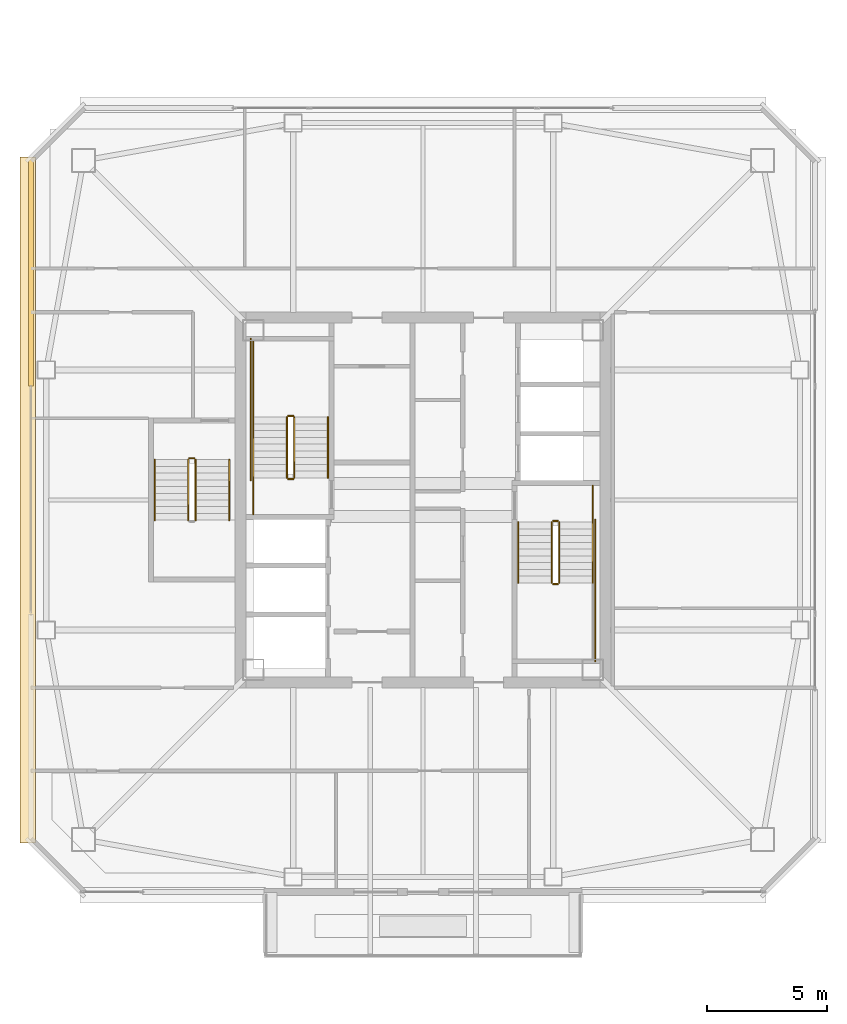
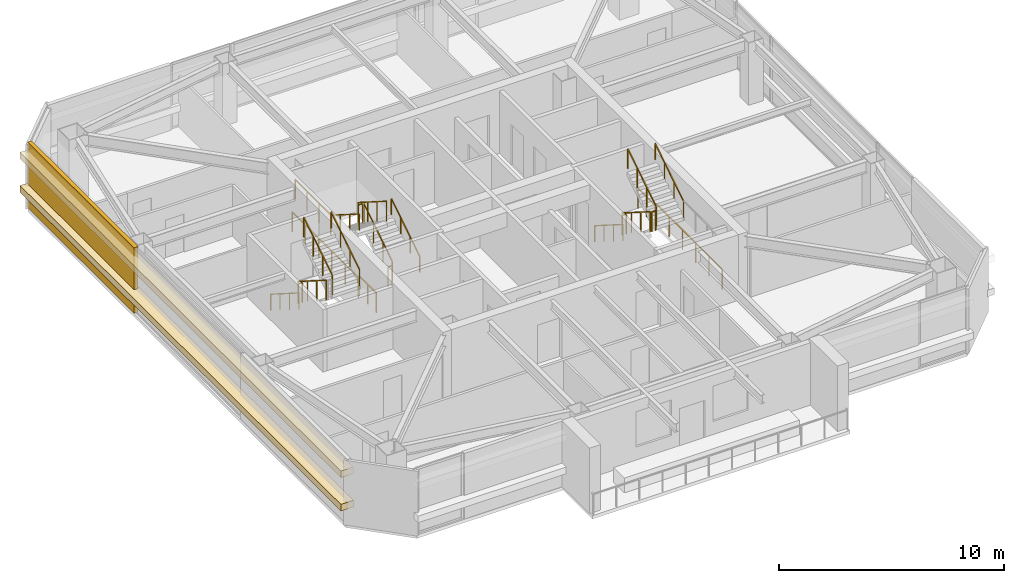
# One storey, part 35 of 40: 22 railings, 3 coverings.
"""IFC4 building model written with IfcOpenShell, lengths in metres."""

from ifc_helpers import new_model, si_unit, direction, frame, origin, origin_2d, place, context, subcontext, project, spatial, rectangle, extrude, material, layer, layer_set, type_object, element, save


model = new_model("IFC4")

# Units and contexts
model_context = context("Model", 3, precision=1e-05, world=origin(), true_north=direction((0.0, 1.0)))
body_context = subcontext(model_context, "Body", "Model", "MODEL_VIEW")
ifc_project = project(units=[si_unit("LENGTHUNIT", "METRE"), si_unit("AREAUNIT", "SQUARE_METRE"), si_unit("VOLUMEUNIT", "CUBIC_METRE"), si_unit("PLANEANGLEUNIT", "RADIAN"), si_unit("MASSUNIT", "GRAM", prefix="KILO")], contexts=[model_context])

# Site, building, storey
site_placement = place(None, origin())
site = spatial("IfcSite", under=ifc_project, at=site_placement, CompositionType="ELEMENT")
building_placement = place(site_placement, origin())
building = spatial("IfcBuilding", under=site, at=building_placement, Name="Tashvorn Skyway Center", CompositionType="ELEMENT")
storey_placement = place(building_placement, frame((0.0, 0.0, 221.949951171875)))
storey = spatial("IfcBuildingStorey", under=building, at=storey_placement, Name="L60", CompositionType="ELEMENT", Elevation=221.949951171875)

# Coverings
ifc_material_1 = material(Name="Precast concrete C40/50", Category="concrete")
ifc_layer_1 = layer(ifc_material_1, 0.199951171875)
ifc_layer_set_1 = layer_set([ifc_layer_1], Name="Precast concrete C40/50")
covering_type_1 = type_object("IfcCoveringType", Name="COV-BRACE-CLAD", PredefinedType="CLADDING", material=ifc_layer_set_1)
covering_placement = place(storey_placement, frame((25.719970703125, 41.453369140625, 0.0), z_axis=(0.0, 0.0, 1.0), x_axis=(0.0, 1.0, 0.0)))
element("IfcCovering", 1, at=covering_placement, inside=storey, type_object=covering_type_1, Name="Tower 1 L60 West Unitised Curtain Wall Mega-Brace Cladding Band 2", PredefinedType="CLADDING", context=body_context, shape_type="SweptSolid", body=[
    extrude(rectangle(XDim=9.453369140625, YDim=0.199951171875, at=origin_2d()), origin(), (0.0, 0.0, 1.0), 3.550048828125),
])
ifc_material_2 = material(Name="Perforated ceramic-coated bronze aluminium solar screen", Category="aluminium")
ifc_layer_2 = layer(ifc_material_2, 0.85009765625)
ifc_layer_set_2 = layer_set([ifc_layer_2], Name="Perforated ceramic-coated bronze aluminium solar screen")
covering_type_2 = type_object("IfcCoveringType", Name="COV-SOLAR-BAND", PredefinedType="CLADDING", material=ifc_layer_set_2)
for number, where, z_axis, x_axis, name in (
    (2, (25.580078125, 32.0, 0.919921875), (0.0, 0.0, 1.0), (0.0, 1.0, 0.0), "L60 Perforated Ceramic-Metal Solar Screen Louvre Band West 1"),
    (3, (25.580078125, 32.0, 2.72021484375), (0.0, 0.0, 1.0), (0.0, 1.0, 0.0), "L60 Perforated Ceramic-Metal Solar Screen Louvre Band West 2"),
):
    element("IfcCovering", number, at=place(storey_placement, frame(where, z_axis=z_axis, x_axis=x_axis)), inside=storey, type_object=covering_type_2, Name=name, PredefinedType="CLADDING", context=body_context, shape_type="SweptSolid", body=[
        extrude(rectangle(XDim=28.47998046875, YDim=0.639892578125, at=origin_2d()), origin(), (0.0, 0.0, 1.0), 0.360107421875),
    ])

# Railings
ifc_material_3 = material(Name="Brushed stainless steel 316", Category="steel")
railing_type_1 = type_object("IfcRailingType", Name="RAIL-HAND-920", PredefinedType="HANDRAIL", material=ifc_material_3)
railing_1_placement = place(storey_placement, frame((38.050048828125, 32.919921875, 0.177490234375)))
element("IfcRailing", 4, at=railing_1_placement, inside=storey, type_object=railing_type_1, Name="L60 ST-T1-1 stair handrail 1", PredefinedType="HANDRAIL", context=body_context, shape_type="SweptSolid", body=[
    extrude(rectangle(XDim=0.048095703125, YDim=0.048095703125, at=origin_2d()), frame((0.0, 0.0, 0.8759765625), z_axis=(0.0, 0.84456994832, 0.535445237532), x_axis=(-1.0, 0.0, 0.0)), (0.0, 0.0, 1.0), 2.98388671875),
    extrude(rectangle(XDim=0.0419921875, YDim=0.0419921875, at=origin_2d()), origin(), (0.0, 0.0, 1.0), 0.851806640625),
    extrude(rectangle(XDim=0.0419921875, YDim=0.0419921875, at=origin_2d()), frame((0.0, 0.840087890625, 0.532470703125)), (0.0, 0.0, 1.0), 0.851806640625),
    extrude(rectangle(XDim=0.0419921875, YDim=0.0419921875, at=origin_2d()), frame((0.0, 1.679931640625, 1.065185546875)), (0.0, 0.0, 1.0), 0.851806640625),
    extrude(rectangle(XDim=0.0419921875, YDim=0.0419921875, at=origin_2d()), frame((0.0, 2.52001953125, 1.59765625)), (0.0, 0.0, 1.0), 0.851806640625),
])
railing_2_placement = place(storey_placement, frame((34.949951171875, 35.43994140625, 1.95263671875)))
element("IfcRailing", 5, at=railing_2_placement, inside=storey, type_object=railing_type_1, Name="L60 ST-T1-1 stair handrail 2", PredefinedType="HANDRAIL", context=body_context, shape_type="SweptSolid", body=[
    extrude(rectangle(XDim=0.048095703125, YDim=0.048095703125, at=origin_2d()), frame((0.0, 0.0, 0.8759765625), z_axis=(0.0, -0.84460694969, 0.535386869969), x_axis=(1.0, 0.0, 0.0)), (0.0, 0.0, 1.0), 2.983642578125),
    extrude(rectangle(XDim=0.0419921875, YDim=0.0419921875, at=origin_2d()), origin(), (0.0, 0.0, 1.0), 0.851806640625),
    extrude(rectangle(XDim=0.0419921875, YDim=0.0419921875, at=origin_2d()), frame((0.0, -0.840087890625, 0.532470703125)), (0.0, 0.0, 1.0), 0.851806640625),
    extrude(rectangle(XDim=0.0419921875, YDim=0.0419921875, at=origin_2d()), frame((0.0, -1.679931640625, 1.06494140625)), (0.0, 0.0, 1.0), 0.851806640625),
    extrude(rectangle(XDim=0.0419921875, YDim=0.0419921875, at=origin_2d()), frame((0.0, -2.52001953125, 1.597412109375)), (0.0, 0.0, 1.0), 0.851806640625),
])
railing_3_placement = place(storey_placement, frame((45.949951171875, 31.080078125, 0.177490234375)))
element("IfcRailing", 6, at=railing_3_placement, inside=storey, type_object=railing_type_1, Name="L60 ST-T1-2 stair handrail 1", PredefinedType="HANDRAIL", context=body_context, shape_type="SweptSolid", body=[
    extrude(rectangle(XDim=0.048095703125, YDim=0.048095703125, at=origin_2d()), frame((0.0, 0.0, 0.8759765625), z_axis=(0.0, -0.84456994832, 0.535445237532), x_axis=(1.0, 0.0, 0.0)), (0.0, 0.0, 1.0), 2.98388671875),
    extrude(rectangle(XDim=0.0419921875, YDim=0.0419921875, at=origin_2d()), origin(), (0.0, 0.0, 1.0), 0.851806640625),
    extrude(rectangle(XDim=0.0419921875, YDim=0.0419921875, at=origin_2d()), frame((0.0, -0.840087890625, 0.532470703125)), (0.0, 0.0, 1.0), 0.851806640625),
    extrude(rectangle(XDim=0.0419921875, YDim=0.0419921875, at=origin_2d()), frame((0.0, -1.679931640625, 1.065185546875)), (0.0, 0.0, 1.0), 0.851806640625),
    extrude(rectangle(XDim=0.0419921875, YDim=0.0419921875, at=origin_2d()), frame((0.0, -2.52001953125, 1.59765625)), (0.0, 0.0, 1.0), 0.851806640625),
])
railing_4_placement = place(storey_placement, frame((49.050048828125, 28.56005859375, 1.95263671875)))
element("IfcRailing", 7, at=railing_4_placement, inside=storey, type_object=railing_type_1, Name="L60 ST-T1-2 stair handrail 2", PredefinedType="HANDRAIL", context=body_context, shape_type="SweptSolid", body=[
    extrude(rectangle(XDim=0.048095703125, YDim=0.048095703125, at=origin_2d()), frame((0.0, 0.0, 0.8759765625), z_axis=(0.0, 0.84460694969, 0.535386869969), x_axis=(-1.0, 0.0, 0.0)), (0.0, 0.0, 1.0), 2.983642578125),
    extrude(rectangle(XDim=0.0419921875, YDim=0.0419921875, at=origin_2d()), origin(), (0.0, 0.0, 1.0), 0.851806640625),
    extrude(rectangle(XDim=0.0419921875, YDim=0.0419921875, at=origin_2d()), frame((0.0, 0.840087890625, 0.532470703125)), (0.0, 0.0, 1.0), 0.851806640625),
    extrude(rectangle(XDim=0.0419921875, YDim=0.0419921875, at=origin_2d()), frame((0.0, 1.679931640625, 1.06494140625)), (0.0, 0.0, 1.0), 0.851806640625),
    extrude(rectangle(XDim=0.0419921875, YDim=0.0419921875, at=origin_2d()), frame((0.0, 2.52001953125, 1.597412109375)), (0.0, 0.0, 1.0), 0.851806640625),
])
railing_5_placement = place(storey_placement, frame((30.85009765625, 33.679931640625, 0.177490234375)))
element("IfcRailing", 8, at=railing_5_placement, inside=storey, type_object=railing_type_1, Name="L60 ST-T1-3 stair handrail 1", PredefinedType="HANDRAIL", context=body_context, shape_type="SweptSolid", body=[
    extrude(rectangle(XDim=0.048095703125, YDim=0.048095703125, at=origin_2d()), frame((0.0, 0.0, 0.8759765625), z_axis=(0.0, -0.84456994832, 0.535445237532), x_axis=(1.0, 0.0, 0.0)), (0.0, 0.0, 1.0), 2.98388671875),
    extrude(rectangle(XDim=0.0419921875, YDim=0.0419921875, at=origin_2d()), origin(), (0.0, 0.0, 1.0), 0.851806640625),
    extrude(rectangle(XDim=0.0419921875, YDim=0.0419921875, at=origin_2d()), frame((0.0, -0.840087890625, 0.532470703125)), (0.0, 0.0, 1.0), 0.851806640625),
    extrude(rectangle(XDim=0.0419921875, YDim=0.0419921875, at=origin_2d()), frame((0.0, -1.679931640625, 1.065185546875)), (0.0, 0.0, 1.0), 0.851806640625),
    extrude(rectangle(XDim=0.0419921875, YDim=0.0419921875, at=origin_2d()), frame((0.0, -2.52001953125, 1.59765625)), (0.0, 0.0, 1.0), 0.851806640625),
])
railing_6_placement = place(storey_placement, frame((33.949951171875, 31.159912109375, 1.95263671875)))
element("IfcRailing", 9, at=railing_6_placement, inside=storey, type_object=railing_type_1, Name="L60 ST-T1-3 stair handrail 2", PredefinedType="HANDRAIL", context=body_context, shape_type="SweptSolid", body=[
    extrude(rectangle(XDim=0.048095703125, YDim=0.048095703125, at=origin_2d()), frame((0.0, 0.0, 0.8759765625), z_axis=(0.0, 0.84460694969, 0.535386869969), x_axis=(-1.0, 0.0, 0.0)), (0.0, 0.0, 1.0), 2.983642578125),
    extrude(rectangle(XDim=0.0419921875, YDim=0.0419921875, at=origin_2d()), origin(), (0.0, 0.0, 1.0), 0.851806640625),
    extrude(rectangle(XDim=0.0419921875, YDim=0.0419921875, at=origin_2d()), frame((0.0, 0.840087890625, 0.532470703125)), (0.0, 0.0, 1.0), 0.851806640625),
    extrude(rectangle(XDim=0.0419921875, YDim=0.0419921875, at=origin_2d()), frame((0.0, 1.679931640625, 1.06494140625)), (0.0, 0.0, 1.0), 0.851806640625),
    extrude(rectangle(XDim=0.0419921875, YDim=0.0419921875, at=origin_2d()), frame((0.0, 2.52001953125, 1.597412109375)), (0.0, 0.0, 1.0), 0.851806640625),
])
ifc_material_4 = material(Name="Painted galvanized steel S355", Category="steel")
railing_type_2 = type_object("IfcRailingType", Name="RAIL-STGUARD-1100", PredefinedType="GUARDRAIL", material=ifc_material_4)
railing_7_placement = place(storey_placement, frame((36.64990234375, 32.919921875, 0.177490234375)))
element("IfcRailing", 10, at=railing_7_placement, inside=storey, type_object=railing_type_2, Name="L60 ST-T1-1 stair guard 1", PredefinedType="GUARDRAIL", context=body_context, shape_type="SweptSolid", body=[
    extrude(rectangle(XDim=0.048095703125, YDim=0.048095703125, at=origin_2d()), frame((0.0, 0.0, 1.076171875), z_axis=(0.0, 0.84456994832, 0.535445237532), x_axis=(-1.0, 0.0, 0.0)), (0.0, 0.0, 1.0), 2.98388671875),
    extrude(rectangle(XDim=0.0419921875, YDim=0.0419921875, at=origin_2d()), origin(), (0.0, 0.0, 1.0), 1.052001953125),
    extrude(rectangle(XDim=0.0419921875, YDim=0.0419921875, at=origin_2d()), frame((0.0, 0.840087890625, 0.532470703125)), (0.0, 0.0, 1.0), 1.052001953125),
    extrude(rectangle(XDim=0.0419921875, YDim=0.0419921875, at=origin_2d()), frame((0.0, 1.679931640625, 1.065185546875)), (0.0, 0.0, 1.0), 1.052001953125),
    extrude(rectangle(XDim=0.0419921875, YDim=0.0419921875, at=origin_2d()), frame((0.0, 2.52001953125, 1.59765625)), (0.0, 0.0, 1.0), 1.052001953125),
])
railing_8_placement = place(storey_placement, frame((36.60009765625, 35.489990234375, 1.775146484375)))
element("IfcRailing", 11, at=railing_8_placement, inside=storey, type_object=railing_type_2, Name="L60 ST-T1-1 stair guard 2", PredefinedType="GUARDRAIL", context=body_context, shape_type="SweptSolid", body=[
    extrude(rectangle(XDim=0.048095703125, YDim=0.048095703125, at=origin_2d()), frame((0.0, 0.0, 1.076171875), z_axis=(-1.0, 0.0, 0.0), x_axis=(0.0, -1.0, 0.0)), (0.0, 0.0, 1.0), 0.2001953125),
    extrude(rectangle(XDim=0.0419921875, YDim=0.0419921875, at=origin_2d()), origin(), (0.0, 0.0, 1.0), 1.052001953125),
    extrude(rectangle(XDim=0.0419921875, YDim=0.0419921875, at=origin_2d()), frame((-0.2001953125, 0.0, 0.0)), (0.0, 0.0, 1.0), 1.052001953125),
])
railing_9_placement = place(storey_placement, frame((34.949951171875, 35.43994140625, 1.775146484375)))
element("IfcRailing", 12, at=railing_9_placement, inside=storey, type_object=railing_type_2, Name="L60 ST-T1-1 stair guard 3", PredefinedType="GUARDRAIL", context=body_context, shape_type="SweptSolid", body=[
    extrude(rectangle(XDim=0.048095703125, YDim=0.048095703125, at=origin_2d()), frame((0.0, 0.0, 1.076171875), z_axis=(0.0, 1.0, 0.0), x_axis=(-1.0, 0.0, 0.0)), (0.0, 0.0, 1.0), 3.16015625),
    extrude(rectangle(XDim=0.0419921875, YDim=0.0419921875, at=origin_2d()), origin(), (0.0, 0.0, 1.0), 1.052001953125),
    extrude(rectangle(XDim=0.0419921875, YDim=0.0419921875, at=origin_2d()), frame((0.0, 1.053466796875, 0.0)), (0.0, 0.0, 1.0), 1.052001953125),
    extrude(rectangle(XDim=0.0419921875, YDim=0.0419921875, at=origin_2d()), frame((0.0, 2.106689453125, 0.0)), (0.0, 0.0, 1.0), 1.052001953125),
    extrude(rectangle(XDim=0.0419921875, YDim=0.0419921875, at=origin_2d()), frame((0.0, 3.16015625, 0.0)), (0.0, 0.0, 1.0), 1.052001953125),
])
railing_10_placement = place(storey_placement, frame((36.35009765625, 35.43994140625, 1.95263671875)))
element("IfcRailing", 13, at=railing_10_placement, inside=storey, type_object=railing_type_2, Name="L60 ST-T1-1 stair guard 4", PredefinedType="GUARDRAIL", context=body_context, shape_type="SweptSolid", body=[
    extrude(rectangle(XDim=0.048095703125, YDim=0.048095703125, at=origin_2d()), frame((0.0, 0.0, 1.076171875), z_axis=(0.0, -0.84460694969, 0.535386869969), x_axis=(1.0, 0.0, 0.0)), (0.0, 0.0, 1.0), 2.983642578125),
    extrude(rectangle(XDim=0.0419921875, YDim=0.0419921875, at=origin_2d()), origin(), (0.0, 0.0, 1.0), 1.052001953125),
    extrude(rectangle(XDim=0.0419921875, YDim=0.0419921875, at=origin_2d()), frame((0.0, -0.840087890625, 0.532470703125)), (0.0, 0.0, 1.0), 1.052001953125),
    extrude(rectangle(XDim=0.0419921875, YDim=0.0419921875, at=origin_2d()), frame((0.0, -1.679931640625, 1.06494140625)), (0.0, 0.0, 1.0), 1.052001953125),
    extrude(rectangle(XDim=0.0419921875, YDim=0.0419921875, at=origin_2d()), frame((0.0, -2.52001953125, 1.597412109375)), (0.0, 0.0, 1.0), 1.052001953125),
])
railing_11_placement = place(storey_placement, frame((36.60009765625, 32.8701171875, 0.0)))
element("IfcRailing", 14, at=railing_11_placement, inside=storey, type_object=railing_type_2, Name="L60 ST-T1-1 stair guard 5", PredefinedType="GUARDRAIL", context=body_context, shape_type="SweptSolid", body=[
    extrude(rectangle(XDim=0.048095703125, YDim=0.048095703125, at=origin_2d()), frame((0.0, 0.0, 1.076171875), z_axis=(-1.0, 0.0, 0.0), x_axis=(0.0, -1.0, 0.0)), (0.0, 0.0, 1.0), 0.2001953125),
    extrude(rectangle(XDim=0.0419921875, YDim=0.0419921875, at=origin_2d()), origin(), (0.0, 0.0, 1.0), 1.052001953125),
    extrude(rectangle(XDim=0.0419921875, YDim=0.0419921875, at=origin_2d()), frame((-0.2001953125, 0.0, 0.0)), (0.0, 0.0, 1.0), 1.052001953125),
])
railing_12_placement = place(storey_placement, frame((34.949951171875, 31.39990234375, 0.0)))
element("IfcRailing", 15, at=railing_12_placement, inside=storey, type_object=railing_type_2, Name="L60 ST-T1-1 stair guard 6", PredefinedType="GUARDRAIL", context=body_context, shape_type="SweptSolid", body=[
    extrude(rectangle(XDim=0.048095703125, YDim=0.048095703125, at=origin_2d()), frame((0.0, 0.0, 1.076171875), z_axis=(0.0, 1.0, 0.0), x_axis=(-1.0, 0.0, 0.0)), (0.0, 0.0, 1.0), 1.52001953125),
    extrude(rectangle(XDim=0.0419921875, YDim=0.0419921875, at=origin_2d()), origin(), (0.0, 0.0, 1.0), 1.052001953125),
    extrude(rectangle(XDim=0.0419921875, YDim=0.0419921875, at=origin_2d()), frame((0.0, 0.760009765625, 0.0)), (0.0, 0.0, 1.0), 1.052001953125),
    extrude(rectangle(XDim=0.0419921875, YDim=0.0419921875, at=origin_2d()), frame((0.0, 1.52001953125, 0.0)), (0.0, 0.0, 1.0), 1.052001953125),
])
railing_13_placement = place(storey_placement, frame((34.85009765625, 32.820068359375, 0.0)))
element("IfcRailing", 16, at=railing_13_placement, inside=storey, type_object=railing_type_2, Name="L60 ST-T1-1 stair guard 7", PredefinedType="GUARDRAIL", context=body_context, shape_type="SweptSolid", body=[
    extrude(rectangle(XDim=0.048095703125, YDim=0.048095703125, at=origin_2d()), frame((0.0, 0.0, 1.076171875), z_axis=(0.0, 1.0, 0.0), x_axis=(-1.0, 0.0, 0.0)), (0.0, 0.0, 1.0), 5.8798828125),
    extrude(rectangle(XDim=0.0419921875, YDim=0.0419921875, at=origin_2d()), origin(), (0.0, 0.0, 1.0), 1.052001953125),
    extrude(rectangle(XDim=0.0419921875, YDim=0.0419921875, at=origin_2d()), frame((0.0, 1.176025390625, 0.0)), (0.0, 0.0, 1.0), 1.052001953125),
    extrude(rectangle(XDim=0.0419921875, YDim=0.0419921875, at=origin_2d()), frame((0.0, 2.35205078125, 0.0)), (0.0, 0.0, 1.0), 1.052001953125),
    extrude(rectangle(XDim=0.0419921875, YDim=0.0419921875, at=origin_2d()), frame((0.0, 3.52783203125, 0.0)), (0.0, 0.0, 1.0), 1.052001953125),
    extrude(rectangle(XDim=0.0419921875, YDim=0.0419921875, at=origin_2d()), frame((0.0, 4.703857421875, 0.0)), (0.0, 0.0, 1.0), 1.052001953125),
    extrude(rectangle(XDim=0.0419921875, YDim=0.0419921875, at=origin_2d()), frame((0.0, 5.8798828125, 0.0)), (0.0, 0.0, 1.0), 1.052001953125),
])
railing_14_placement = place(storey_placement, frame((47.35009765625, 31.080078125, 0.177490234375)))
element("IfcRailing", 17, at=railing_14_placement, inside=storey, type_object=railing_type_2, Name="L60 ST-T1-2 stair guard 1", PredefinedType="GUARDRAIL", context=body_context, shape_type="SweptSolid", body=[
    extrude(rectangle(XDim=0.048095703125, YDim=0.048095703125, at=origin_2d()), frame((0.0, 0.0, 1.076171875), z_axis=(0.0, -0.84456994832, 0.535445237532), x_axis=(1.0, 0.0, 0.0)), (0.0, 0.0, 1.0), 2.98388671875),
    extrude(rectangle(XDim=0.0419921875, YDim=0.0419921875, at=origin_2d()), origin(), (0.0, 0.0, 1.0), 1.052001953125),
    extrude(rectangle(XDim=0.0419921875, YDim=0.0419921875, at=origin_2d()), frame((0.0, -0.840087890625, 0.532470703125)), (0.0, 0.0, 1.0), 1.052001953125),
    extrude(rectangle(XDim=0.0419921875, YDim=0.0419921875, at=origin_2d()), frame((0.0, -1.679931640625, 1.065185546875)), (0.0, 0.0, 1.0), 1.052001953125),
    extrude(rectangle(XDim=0.0419921875, YDim=0.0419921875, at=origin_2d()), frame((0.0, -2.52001953125, 1.59765625)), (0.0, 0.0, 1.0), 1.052001953125),
])
railing_15_placement = place(storey_placement, frame((47.39990234375, 28.510009765625, 1.775146484375)))
element("IfcRailing", 18, at=railing_15_placement, inside=storey, type_object=railing_type_2, Name="L60 ST-T1-2 stair guard 2", PredefinedType="GUARDRAIL", context=body_context, shape_type="SweptSolid", body=[
    extrude(rectangle(XDim=0.048095703125, YDim=0.048095703125, at=origin_2d()), frame((0.0, 0.0, 1.076171875), z_axis=(1.0, 0.0, 0.0), x_axis=(0.0, 1.0, 0.0)), (0.0, 0.0, 1.0), 0.2001953125),
    extrude(rectangle(XDim=0.0419921875, YDim=0.0419921875, at=origin_2d()), origin(), (0.0, 0.0, 1.0), 1.052001953125),
    extrude(rectangle(XDim=0.0419921875, YDim=0.0419921875, at=origin_2d()), frame((0.2001953125, 0.0, 0.0)), (0.0, 0.0, 1.0), 1.052001953125),
])
railing_16_placement = place(storey_placement, frame((47.64990234375, 28.56005859375, 1.95263671875)))
element("IfcRailing", 19, at=railing_16_placement, inside=storey, type_object=railing_type_2, Name="L60 ST-T1-2 stair guard 4", PredefinedType="GUARDRAIL", context=body_context, shape_type="SweptSolid", body=[
    extrude(rectangle(XDim=0.048095703125, YDim=0.048095703125, at=origin_2d()), frame((0.0, 0.0, 1.076171875), z_axis=(0.0, 0.84460694969, 0.535386869969), x_axis=(-1.0, 0.0, 0.0)), (0.0, 0.0, 1.0), 2.983642578125),
    extrude(rectangle(XDim=0.0419921875, YDim=0.0419921875, at=origin_2d()), origin(), (0.0, 0.0, 1.0), 1.052001953125),
    extrude(rectangle(XDim=0.0419921875, YDim=0.0419921875, at=origin_2d()), frame((0.0, 0.840087890625, 0.532470703125)), (0.0, 0.0, 1.0), 1.052001953125),
    extrude(rectangle(XDim=0.0419921875, YDim=0.0419921875, at=origin_2d()), frame((0.0, 1.679931640625, 1.06494140625)), (0.0, 0.0, 1.0), 1.052001953125),
    extrude(rectangle(XDim=0.0419921875, YDim=0.0419921875, at=origin_2d()), frame((0.0, 2.52001953125, 1.597412109375)), (0.0, 0.0, 1.0), 1.052001953125),
])
railing_17_placement = place(storey_placement, frame((47.39990234375, 31.1298828125, 0.0)))
element("IfcRailing", 20, at=railing_17_placement, inside=storey, type_object=railing_type_2, Name="L60 ST-T1-2 stair guard 5", PredefinedType="GUARDRAIL", context=body_context, shape_type="SweptSolid", body=[
    extrude(rectangle(XDim=0.048095703125, YDim=0.048095703125, at=origin_2d()), frame((0.0, 0.0, 1.076171875), z_axis=(1.0, 0.0, 0.0), x_axis=(0.0, 1.0, 0.0)), (0.0, 0.0, 1.0), 0.2001953125),
    extrude(rectangle(XDim=0.0419921875, YDim=0.0419921875, at=origin_2d()), origin(), (0.0, 0.0, 1.0), 1.052001953125),
    extrude(rectangle(XDim=0.0419921875, YDim=0.0419921875, at=origin_2d()), frame((0.2001953125, 0.0, 0.0)), (0.0, 0.0, 1.0), 1.052001953125),
])
railing_18_placement = place(storey_placement, frame((49.050048828125, 32.60009765625, 0.0)))
element("IfcRailing", 21, at=railing_18_placement, inside=storey, type_object=railing_type_2, Name="L60 ST-T1-2 stair guard 6", PredefinedType="GUARDRAIL", context=body_context, shape_type="SweptSolid", body=[
    extrude(rectangle(XDim=0.048095703125, YDim=0.048095703125, at=origin_2d()), frame((0.0, 0.0, 1.076171875), z_axis=(0.0, -1.0, 0.0), x_axis=(1.0, 0.0, 0.0)), (0.0, 0.0, 1.0), 1.52001953125),
    extrude(rectangle(XDim=0.0419921875, YDim=0.0419921875, at=origin_2d()), origin(), (0.0, 0.0, 1.0), 1.052001953125),
    extrude(rectangle(XDim=0.0419921875, YDim=0.0419921875, at=origin_2d()), frame((0.0, -0.760009765625, 0.0)), (0.0, 0.0, 1.0), 1.052001953125),
    extrude(rectangle(XDim=0.0419921875, YDim=0.0419921875, at=origin_2d()), frame((0.0, -1.52001953125, 0.0)), (0.0, 0.0, 1.0), 1.052001953125),
])
railing_19_placement = place(storey_placement, frame((49.14990234375, 31.179931640625, 0.0)))
element("IfcRailing", 22, at=railing_19_placement, inside=storey, type_object=railing_type_2, Name="L60 ST-T1-2 stair guard 7", PredefinedType="GUARDRAIL", context=body_context, shape_type="SweptSolid", body=[
    extrude(rectangle(XDim=0.048095703125, YDim=0.048095703125, at=origin_2d()), frame((0.0, 0.0, 1.076171875), z_axis=(0.0, -1.0, 0.0), x_axis=(1.0, 0.0, 0.0)), (0.0, 0.0, 1.0), 5.8798828125),
    extrude(rectangle(XDim=0.0419921875, YDim=0.0419921875, at=origin_2d()), origin(), (0.0, 0.0, 1.0), 1.052001953125),
    extrude(rectangle(XDim=0.0419921875, YDim=0.0419921875, at=origin_2d()), frame((0.0, -1.176025390625, 0.0)), (0.0, 0.0, 1.0), 1.052001953125),
    extrude(rectangle(XDim=0.0419921875, YDim=0.0419921875, at=origin_2d()), frame((0.0, -2.35205078125, 0.0)), (0.0, 0.0, 1.0), 1.052001953125),
    extrude(rectangle(XDim=0.0419921875, YDim=0.0419921875, at=origin_2d()), frame((0.0, -3.52783203125, 0.0)), (0.0, 0.0, 1.0), 1.052001953125),
    extrude(rectangle(XDim=0.0419921875, YDim=0.0419921875, at=origin_2d()), frame((0.0, -4.703857421875, 0.0)), (0.0, 0.0, 1.0), 1.052001953125),
    extrude(rectangle(XDim=0.0419921875, YDim=0.0419921875, at=origin_2d()), frame((0.0, -5.8798828125, 0.0)), (0.0, 0.0, 1.0), 1.052001953125),
])
railing_20_placement = place(storey_placement, frame((32.25, 33.679931640625, 0.177490234375)))
element("IfcRailing", 23, at=railing_20_placement, inside=storey, type_object=railing_type_2, Name="L60 ST-T1-3 stair guard 1", PredefinedType="GUARDRAIL", context=body_context, shape_type="SweptSolid", body=[
    extrude(rectangle(XDim=0.048095703125, YDim=0.048095703125, at=origin_2d()), frame((0.0, 0.0, 1.076171875), z_axis=(0.0, -0.84456994832, 0.535445237532), x_axis=(1.0, 0.0, 0.0)), (0.0, 0.0, 1.0), 2.98388671875),
    extrude(rectangle(XDim=0.0419921875, YDim=0.0419921875, at=origin_2d()), origin(), (0.0, 0.0, 1.0), 1.052001953125),
    extrude(rectangle(XDim=0.0419921875, YDim=0.0419921875, at=origin_2d()), frame((0.0, -0.840087890625, 0.532470703125)), (0.0, 0.0, 1.0), 1.052001953125),
    extrude(rectangle(XDim=0.0419921875, YDim=0.0419921875, at=origin_2d()), frame((0.0, -1.679931640625, 1.065185546875)), (0.0, 0.0, 1.0), 1.052001953125),
    extrude(rectangle(XDim=0.0419921875, YDim=0.0419921875, at=origin_2d()), frame((0.0, -2.52001953125, 1.59765625)), (0.0, 0.0, 1.0), 1.052001953125),
])
railing_21_placement = place(storey_placement, frame((32.550048828125, 31.159912109375, 1.95263671875)))
element("IfcRailing", 24, at=railing_21_placement, inside=storey, type_object=railing_type_2, Name="L60 ST-T1-3 stair guard 3", PredefinedType="GUARDRAIL", context=body_context, shape_type="SweptSolid", body=[
    extrude(rectangle(XDim=0.048095703125, YDim=0.048095703125, at=origin_2d()), frame((0.0, 0.0, 1.076171875), z_axis=(0.0, 0.84460694969, 0.535386869969), x_axis=(-1.0, 0.0, 0.0)), (0.0, 0.0, 1.0), 2.983642578125),
    extrude(rectangle(XDim=0.0419921875, YDim=0.0419921875, at=origin_2d()), origin(), (0.0, 0.0, 1.0), 1.052001953125),
    extrude(rectangle(XDim=0.0419921875, YDim=0.0419921875, at=origin_2d()), frame((0.0, 0.840087890625, 0.532470703125)), (0.0, 0.0, 1.0), 1.052001953125),
    extrude(rectangle(XDim=0.0419921875, YDim=0.0419921875, at=origin_2d()), frame((0.0, 1.679931640625, 1.06494140625)), (0.0, 0.0, 1.0), 1.052001953125),
    extrude(rectangle(XDim=0.0419921875, YDim=0.0419921875, at=origin_2d()), frame((0.0, 2.52001953125, 1.597412109375)), (0.0, 0.0, 1.0), 1.052001953125),
])
railing_22_placement = place(storey_placement, frame((32.300048828125, 33.72998046875, 0.0)))
element("IfcRailing", 25, at=railing_22_placement, inside=storey, type_object=railing_type_2, Name="L60 ST-T1-3 stair guard 4", PredefinedType="GUARDRAIL", context=body_context, shape_type="SweptSolid", body=[
    extrude(rectangle(XDim=0.048095703125, YDim=0.048095703125, at=origin_2d()), frame((0.0, 0.0, 1.076171875), z_axis=(1.0, 0.0, 0.0), x_axis=(0.0, 1.0, 0.0)), (0.0, 0.0, 1.0), 0.199951171875),
    extrude(rectangle(XDim=0.0419921875, YDim=0.0419921875, at=origin_2d()), origin(), (0.0, 0.0, 1.0), 1.052001953125),
    extrude(rectangle(XDim=0.0419921875, YDim=0.0419921875, at=origin_2d()), frame((0.199951171875, 0.0, 0.0)), (0.0, 0.0, 1.0), 1.052001953125),
])

save(model, "model.ifc")
